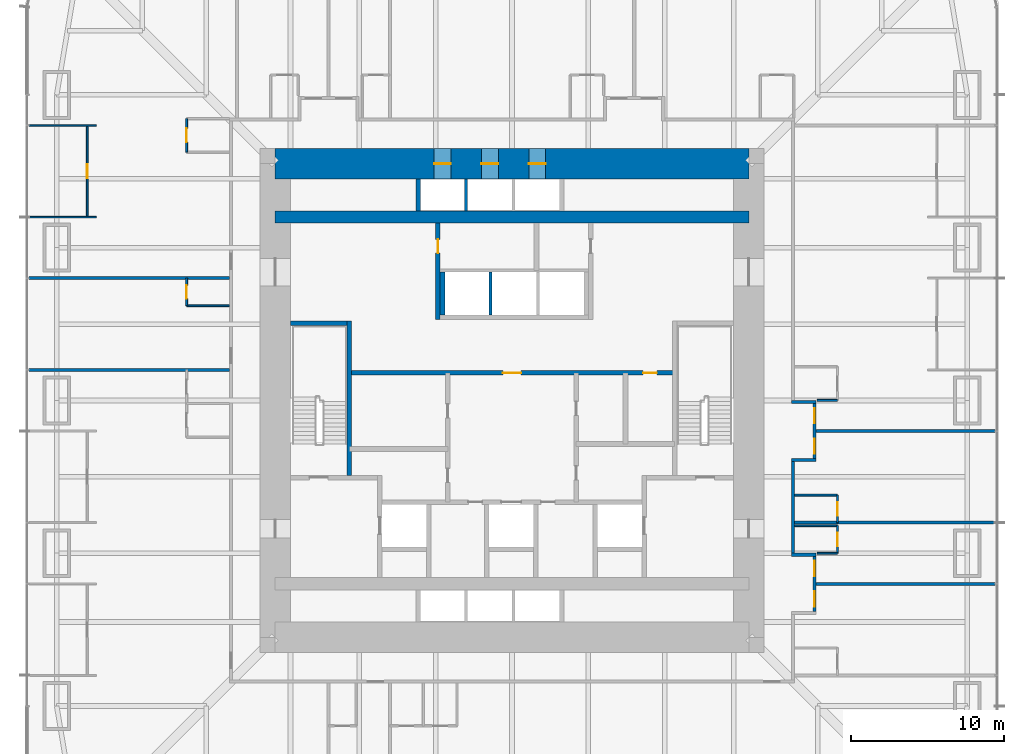
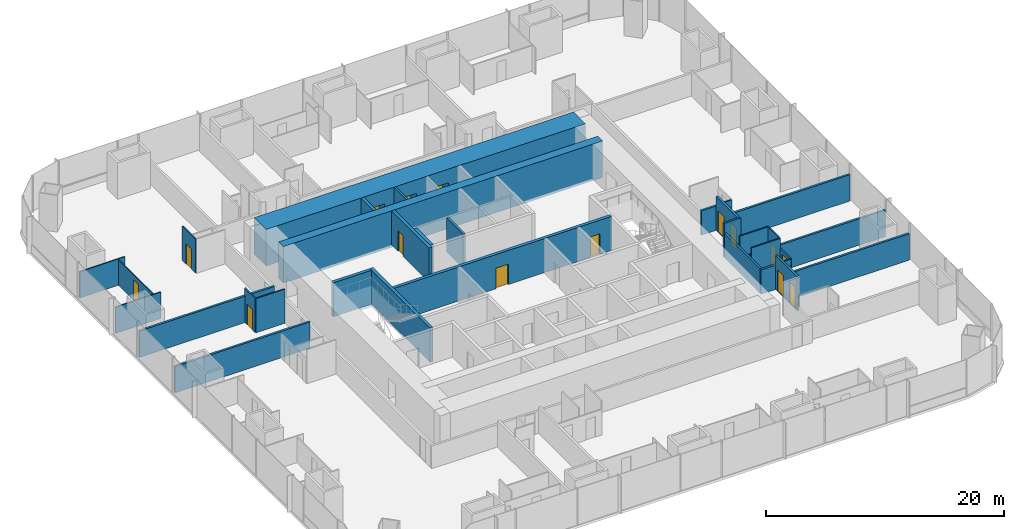
# One storey, part 14 of 17: 33 walls, 15 doors, 15 openings.
"""IFC4 building model written with IfcOpenShell, lengths in metres."""

from ifc_helpers import new_model, si_unit, direction, frame, frame_2d, origin, place, context, subcontext, project, spatial, rectangle, extrude, material, layer, layer_set, type_object, element, fill, save


model = new_model("IFC4")

# Units and contexts
model_context = context("Model", 3, precision=1e-05, world=origin(), true_north=direction((0.0, 1.0)))
body_context = subcontext(model_context, "Body", "Model", "MODEL_VIEW")
ifc_project = project(units=[si_unit("LENGTHUNIT", "METRE"), si_unit("AREAUNIT", "SQUARE_METRE"), si_unit("VOLUMEUNIT", "CUBIC_METRE"), si_unit("PLANEANGLEUNIT", "RADIAN"), si_unit("MASSUNIT", "GRAM", prefix="KILO")], contexts=[model_context])

# Site, building, storey
site_placement = place(None, origin())
site = spatial("IfcSite", under=ifc_project, at=site_placement, CompositionType="ELEMENT")
building_placement = place(site_placement, origin())
building = spatial("IfcBuilding", under=site, at=building_placement, Name="Khuree Lantern Residences", CompositionType="ELEMENT")
storey_placement = place(building_placement, frame((0.0, 0.0, 36.0)))
storey = spatial("IfcBuildingStorey", under=building, at=storey_placement, Name="L08", CompositionType="ELEMENT", Elevation=36.0)

# Wall, opening, door
ifc_material_1 = material(Name="Moisture-resistant gypsum board on steel studs", Category="steel")
ifc_layer_1 = layer(ifc_material_1, 0.125)
ifc_layer_set_1 = layer_set([ifc_layer_1], Name="BATHROOM WALL BTW125")
wall_type_1 = type_object("IfcWallType", Name="BATHROOM WALL BTW125", PredefinedType="PARTITIONING", material=ifc_layer_set_1)
wall_1_placement = place(storey_placement, frame((21.300048828125, -8.0, 0.0), z_axis=(0.0, 0.0, 1.0), x_axis=(0.0, 1.0, 0.0)))
wall_1 = element("IfcWall", 1, at=wall_1_placement, inside=storey, type_object=wall_type_1, Name="L08 BATHROOM WALL 01", PredefinedType="PARTITIONING", context=body_context, shape_type="SweptSolid", body=[
    extrude(rectangle(XDim=1.800048828125, YDim=0.125, at=frame_2d((0.89990234375, 0.0))), origin(), (0.0, 0.0, 1.0), 3.5),
])
opening_1_placement = place(wall_1_placement, frame((0.449951171875, 0.0, 0.0)))
opening_1 = element("IfcOpeningElement", 2, at=opening_1_placement, cuts=wall_1, Name="Opening 08-023", PredefinedType="OPENING", context=body_context, shape_type="SweptSolid", body=[
    extrude(rectangle(XDim=0.89990234375, YDim=2.10009765625, at=frame_2d((0.449951171875, 1.050048828125))), frame((0.0, 0.072509765625, 0.0), z_axis=(0.0, -1.0, 0.0), x_axis=(1.0, 0.0, 0.0)), (0.0, 0.0, 1.0), 0.14501953125),
])
ifc_material_2 = material(Name="Timber door leaf in hardwood frame", Category="wood")
door_type_1 = type_object("IfcDoorType", Name="BATHROOM DOOR 900X2100", OperationType="SINGLE_SWING_LEFT", PredefinedType="DOOR", material=ifc_material_2)
door_1_placement = place(opening_1_placement, origin())
door_1 = element("IfcDoor", 3, at=door_1_placement, inside=storey, type_object=door_type_1, Name="Bathroom door 08-023", OperationType="SINGLE_SWING_LEFT", OverallHeight=2.10009765625, OverallWidth=0.89990234375, PredefinedType="DOOR", context=body_context, shape_type="SweptSolid", body=[
    extrude(rectangle(XDim=0.89990234375, YDim=2.10009765625, at=frame_2d((0.449951171875, 1.050048828125))), frame((0.0, 0.02490234375, 0.0), z_axis=(0.0, -1.0, 0.0), x_axis=(1.0, 0.0, 0.0)), (0.0, 0.0, 1.0), 0.050048828125),
])
fill(opening_1, door_1)

# Walls
wall_2_placement = place(storey_placement, frame((18.5, -6.199951171875, 0.0), z_axis=(0.0, 0.0, 1.0), x_axis=(1.0, 0.0, 0.0)))
element("IfcWall", 4, at=wall_2_placement, inside=storey, type_object=wall_type_1, Name="L08 BATHROOM WALL 01", PredefinedType="PARTITIONING", context=body_context, shape_type="SweptSolid", body=[
    extrude(rectangle(XDim=2.800048828125, YDim=0.125, at=frame_2d((1.39990234375, 0.0))), origin(), (0.0, 0.0, 1.0), 3.5),
])
wall_3_placement = place(storey_placement, frame((19.969970703125, 0.0, 0.0), z_axis=(0.0, 0.0, 1.0), x_axis=(1.0, 0.0, 0.0)))
element("IfcWall", 5, at=wall_3_placement, inside=storey, type_object=wall_type_1, Name="L08 BATHROOM WALL 02", PredefinedType="PARTITIONING", context=body_context, shape_type="SweptSolid", body=[
    extrude(rectangle(XDim=1.330078125, YDim=0.125, at=frame_2d((0.6650390625, 0.0))), origin(), (0.0, 0.0, 1.0), 2.491943359375),
])

# Wall, opening, door
wall_4_placement = place(storey_placement, frame((-21.300048828125, 18.449951171875, 0.0), z_axis=(0.0, 0.0, 1.0), x_axis=(0.0, -1.0, 0.0)))
wall_4 = element("IfcWall", 6, at=wall_4_placement, inside=storey, type_object=wall_type_1, Name="L08 BATHROOM WALL 07", PredefinedType="PARTITIONING", context=body_context, shape_type="SweptSolid", body=[
    extrude(rectangle(XDim=2.199951171875, YDim=0.125, at=frame_2d((1.10009765625, 0.0))), origin(), (0.0, 0.0, 1.0), 3.5),
])
opening_2_placement = place(wall_4_placement, frame((0.64990234375, 0.0, 0.0)))
opening_2 = element("IfcOpeningElement", 7, at=opening_2_placement, cuts=wall_4, Name="Opening 08-042", PredefinedType="OPENING", context=body_context, shape_type="SweptSolid", body=[
    extrude(rectangle(XDim=0.89990234375, YDim=2.10009765625, at=frame_2d((0.449951171875, 1.050048828125))), frame((0.0, 0.072509765625, 0.0), z_axis=(0.0, -1.0, 0.0), x_axis=(1.0, 0.0, 0.0)), (0.0, 0.0, 1.0), 0.14501953125),
])
door_2_placement = place(opening_2_placement, origin())
door_2 = element("IfcDoor", 8, at=door_2_placement, inside=storey, type_object=door_type_1, Name="Bathroom door 08-042", OperationType="SINGLE_SWING_LEFT", OverallHeight=2.10009765625, OverallWidth=0.89990234375, PredefinedType="DOOR", context=body_context, shape_type="SweptSolid", body=[
    extrude(rectangle(XDim=0.89990234375, YDim=2.10009765625, at=frame_2d((0.449951171875, 1.050048828125))), frame((0.0, 0.02490234375, 0.0), z_axis=(0.0, -1.0, 0.0), x_axis=(1.0, 0.0, 0.0)), (0.0, 0.0, 1.0), 0.050048828125),
])
fill(opening_2, door_2)

wall_5_placement = place(storey_placement, frame((-21.300048828125, 8.0, 0.0), z_axis=(0.0, 0.0, 1.0), x_axis=(0.0, -1.0, 0.0)))
wall_5 = element("IfcWall", 9, at=wall_5_placement, inside=storey, type_object=wall_type_1, Name="L08 BATHROOM WALL 08", PredefinedType="PARTITIONING", context=body_context, shape_type="SweptSolid", body=[
    extrude(rectangle(XDim=1.800048828125, YDim=0.125, at=frame_2d((0.89990234375, 0.0))), origin(), (0.0, 0.0, 1.0), 3.5),
])
opening_3_placement = place(wall_5_placement, frame((0.449951171875, 0.0, 0.0)))
opening_3 = element("IfcOpeningElement", 10, at=opening_3_placement, cuts=wall_5, Name="Opening 08-044", PredefinedType="OPENING", context=body_context, shape_type="SweptSolid", body=[
    extrude(rectangle(XDim=0.89990234375, YDim=2.10009765625, at=frame_2d((0.449951171875, 1.050048828125))), frame((0.0, 0.072509765625, 0.0), z_axis=(0.0, -1.0, 0.0), x_axis=(1.0, 0.0, 0.0)), (0.0, 0.0, 1.0), 0.14501953125),
])
door_3_placement = place(opening_3_placement, origin())
door_3 = element("IfcDoor", 11, at=door_3_placement, inside=storey, type_object=door_type_1, Name="Bathroom door 08-044", OperationType="SINGLE_SWING_LEFT", OverallHeight=2.10009765625, OverallWidth=0.89990234375, PredefinedType="DOOR", context=body_context, shape_type="SweptSolid", body=[
    extrude(rectangle(XDim=0.89990234375, YDim=2.10009765625, at=frame_2d((0.449951171875, 1.050048828125))), frame((0.0, 0.02490234375, 0.0), z_axis=(0.0, -1.0, 0.0), x_axis=(1.0, 0.0, 0.0)), (0.0, 0.0, 1.0), 0.050048828125),
])
fill(opening_3, door_3)

# Wall
wall_6_placement = place(storey_placement, frame((-18.5, 6.199951171875, 0.0), z_axis=(0.0, 0.0, 1.0), x_axis=(-1.0, 0.0, 0.0)))
element("IfcWall", 12, at=wall_6_placement, inside=storey, type_object=wall_type_1, Name="L08 BATHROOM WALL 08", PredefinedType="PARTITIONING", context=body_context, shape_type="SweptSolid", body=[
    extrude(rectangle(XDim=2.800048828125, YDim=0.125, at=frame_2d((1.39990234375, 0.0))), origin(), (0.0, 0.0, 1.0), 3.5),
])

# Wall, opening, door
wall_7_placement = place(storey_placement, frame((21.300048828125, -10.0, 0.0), z_axis=(0.0, 0.0, 1.0), x_axis=(0.0, 1.0, 0.0)))
wall_7 = element("IfcWall", 13, at=wall_7_placement, inside=storey, type_object=wall_type_1, Name="L08 BATHROOM WALL 13", PredefinedType="PARTITIONING", context=body_context, shape_type="SweptSolid", body=[
    extrude(rectangle(XDim=1.800048828125, YDim=0.125, at=frame_2d((0.89990234375, 0.0))), origin(), (0.0, 0.0, 1.0), 2.491943359375),
])
opening_4_placement = place(wall_7_placement, frame((0.449951171875, 0.0, 0.0)))
opening_4 = element("IfcOpeningElement", 14, at=opening_4_placement, cuts=wall_7, Name="Opening 08-064", PredefinedType="OPENING", context=body_context, shape_type="SweptSolid", body=[
    extrude(rectangle(XDim=0.89990234375, YDim=2.10009765625, at=frame_2d((0.449951171875, 1.050048828125))), frame((0.0, 0.072509765625, 0.0), z_axis=(0.0, -1.0, 0.0), x_axis=(1.0, 0.0, 0.0)), (0.0, 0.0, 1.0), 0.14501953125),
])
door_4_placement = place(opening_4_placement, origin())
door_4 = element("IfcDoor", 15, at=door_4_placement, inside=storey, type_object=door_type_1, Name="Bathroom door 08-064", OperationType="SINGLE_SWING_LEFT", OverallHeight=2.10009765625, OverallWidth=0.89990234375, PredefinedType="DOOR", context=body_context, shape_type="SweptSolid", body=[
    extrude(rectangle(XDim=0.89990234375, YDim=2.10009765625, at=frame_2d((0.449951171875, 1.050048828125))), frame((0.0, 0.02490234375, 0.0), z_axis=(0.0, -1.0, 0.0), x_axis=(1.0, 0.0, 0.0)), (0.0, 0.0, 1.0), 0.050048828125),
])
fill(opening_4, door_4)

# Walls
wall_8_placement = place(storey_placement, frame((19.969970703125, -10.0, 0.0), z_axis=(0.0, 0.0, 1.0), x_axis=(1.0, 0.0, 0.0)))
element("IfcWall", 16, at=wall_8_placement, inside=storey, type_object=wall_type_1, Name="L08 BATHROOM WALL 13", PredefinedType="PARTITIONING", context=body_context, shape_type="SweptSolid", body=[
    extrude(rectangle(XDim=1.330078125, YDim=0.125, at=frame_2d((0.6650390625, 0.0))), origin(), (0.0, 0.0, 1.0), 2.491943359375),
])
wall_9_placement = place(storey_placement, frame((18.5, -8.199951171875, 0.0), z_axis=(0.0, 0.0, 1.0), x_axis=(1.0, 0.0, 0.0)))
element("IfcWall", 17, at=wall_9_placement, inside=storey, type_object=wall_type_1, Name="L08 BATHROOM WALL 13", PredefinedType="PARTITIONING", context=body_context, shape_type="SweptSolid", body=[
    extrude(rectangle(XDim=2.800048828125, YDim=0.125, at=frame_2d((1.39990234375, 0.0))), origin(), (0.0, 0.0, 1.0), 3.5),
])
ifc_material_3 = material(Name="Dense concrete blockwork", Category="masonry")
ifc_layer_2 = layer(ifc_material_3, 0.300048828125)
ifc_layer_set_2 = layer_set([ifc_layer_2], Name="CORE PARTITION WALL CPW300 EI 120")
wall_type_2 = type_object("IfcWallType", Name="CORE PARTITION WALL CPW300 EI 120", PredefinedType="PARTITIONING", material=ifc_layer_set_2)
wall_10_placement = place(storey_placement, frame((-4.550048828125, 5.60009765625, 0.0), z_axis=(0.0, 0.0, 1.0), x_axis=(0.0, 1.0, 0.0)))
element("IfcWall", 18, at=wall_10_placement, inside=storey, type_object=wall_type_2, Name="L08 CORE WALL PHW", PredefinedType="PARTITIONING", context=body_context, shape_type="SweptSolid", body=[
    extrude(rectangle(XDim=2.7998046875, YDim=0.300048828125, at=frame_2d((1.39990234375, 0.0))), origin(), (0.0, 0.0, 1.0), 3.5),
])
wall_11_placement = place(storey_placement, frame((-6.14990234375, 12.39990234375, 0.0), z_axis=(0.0, 0.0, 1.0), x_axis=(0.0, 1.0, 0.0)))
element("IfcWall", 19, at=wall_11_placement, inside=storey, type_object=wall_type_2, Name="L08 CORE WALL PLW", PredefinedType="PARTITIONING", context=body_context, shape_type="SweptSolid", body=[
    extrude(rectangle(XDim=2.10009765625, YDim=0.300048828125, at=frame_2d((1.050048828125, 0.0))), origin(), (0.0, 0.0, 1.0), 3.5),
])

# Wall, openings, doors
wall_12_placement = place(storey_placement, frame((-10.64990234375, 1.800048828125, 0.0), z_axis=(0.0, 0.0, 1.0), x_axis=(1.0, 0.0, 0.0)))
wall_12 = element("IfcWall", 20, at=wall_12_placement, inside=storey, type_object=wall_type_2, Name="L08 CORE WALL LLS", PredefinedType="PARTITIONING", context=body_context, shape_type="SweptSolid", body=[
    extrude(rectangle(XDim=21.2998046875, YDim=0.300048828125, at=frame_2d((10.64990234375, 0.0))), origin(), (0.0, 0.0, 1.0), 3.5),
])
opening_5_placement = place(wall_12_placement, frame((10.050048828125, 0.0, 0.0)))
opening_5 = element("IfcOpeningElement", 21, at=opening_5_placement, cuts=wall_12, Name="Opening 08-013", PredefinedType="OPENING", context=body_context, shape_type="SweptSolid", body=[
    extrude(rectangle(XDim=1.199951171875, YDim=2.10009765625, at=frame_2d((0.60009765625, 1.050048828125))), frame((0.0, 0.16015625, 0.0), z_axis=(0.0, -1.0, 0.0), x_axis=(1.0, 0.0, 0.0)), (0.0, 0.0, 1.0), 0.320068359375),
])
opening_6_placement = place(wall_12_placement, frame((19.238037109375, 0.0, 0.0)))
opening_6 = element("IfcOpeningElement", 22, at=opening_6_placement, cuts=wall_12, Name="Opening 08-020", PredefinedType="OPENING", context=body_context, shape_type="SweptSolid", body=[
    extrude(rectangle(XDim=0.89990234375, YDim=2.10009765625, at=frame_2d((0.449951171875, 1.050048828125))), frame((0.0, 0.16015625, 0.0), z_axis=(0.0, -1.0, 0.0), x_axis=(1.0, 0.0, 0.0)), (0.0, 0.0, 1.0), 0.320068359375),
])
ifc_material_4 = material(Name="Steel door leaf in steel frame", Category="steel")
door_type_2 = type_object("IfcDoorType", Name="DOOR 1200X2100 EI 60", OperationType="SINGLE_SWING_LEFT", PredefinedType="DOOR", material=ifc_material_4)
door_5_placement = place(opening_5_placement, origin())
door_5 = element("IfcDoor", 23, at=door_5_placement, inside=storey, type_object=door_type_2, Name="Service lift lobby door 08-013", OperationType="SINGLE_SWING_LEFT", OverallHeight=2.10009765625, OverallWidth=1.199951171875, PredefinedType="DOOR", context=body_context, shape_type="SweptSolid", body=[
    extrude(rectangle(XDim=1.199951171875, YDim=2.10009765625, at=frame_2d((0.60009765625, 1.050048828125))), frame((0.0, 0.02490234375, 0.0), z_axis=(0.0, -1.0, 0.0), x_axis=(1.0, 0.0, 0.0)), (0.0, 0.0, 1.0), 0.050048828125),
])
fill(opening_5, door_5)
door_type_3 = type_object("IfcDoorType", Name="DOOR 900X2100 RIGHT HAND", OperationType="SINGLE_SWING_RIGHT", PredefinedType="DOOR", material=ifc_material_2)
door_6_placement = place(opening_6_placement, origin())
door_6 = element("IfcDoor", 24, at=door_6_placement, inside=storey, type_object=door_type_3, Name="Housekeeping store door 08-020", OperationType="SINGLE_SWING_RIGHT", OverallHeight=2.10009765625, OverallWidth=0.89990234375, PredefinedType="DOOR", context=body_context, shape_type="SweptSolid", body=[
    extrude(rectangle(XDim=0.89990234375, YDim=2.10009765625, at=frame_2d((0.449951171875, 1.050048828125))), frame((0.0, 0.02490234375, 0.0), z_axis=(0.0, -1.0, 0.0), x_axis=(1.0, 0.0, 0.0)), (0.0, 0.0, 1.0), 0.050048828125),
])
fill(opening_6, door_6)

# Wall, opening, door
wall_13_placement = place(storey_placement, frame((-4.85009765625, 5.300048828125, 0.0), z_axis=(0.0, 0.0, 1.0), x_axis=(0.0, 1.0, 0.0)))
wall_13 = element("IfcWall", 25, at=wall_13_placement, inside=storey, type_object=wall_type_2, Name="L08 CORE WALL NW", PredefinedType="PARTITIONING", context=body_context, shape_type="SweptSolid", body=[
    extrude(rectangle(XDim=6.300048828125, YDim=0.300048828125, at=frame_2d((3.14990234375, 0.0))), origin(), (0.0, 0.0, 1.0), 3.5),
])
opening_7_placement = place(wall_13_placement, frame((4.35009765625, 0.0, 0.0)))
opening_7 = element("IfcOpeningElement", 26, at=opening_7_placement, cuts=wall_13, Name="Opening 08-021", PredefinedType="OPENING", context=body_context, shape_type="SweptSolid", body=[
    extrude(rectangle(XDim=0.89990234375, YDim=2.10009765625, at=frame_2d((0.449951171875, 1.050048828125))), frame((0.0, 0.16015625, 0.0), z_axis=(0.0, -1.0, 0.0), x_axis=(1.0, 0.0, 0.0)), (0.0, 0.0, 1.0), 0.320068359375),
])
door_7_placement = place(opening_7_placement, origin())
door_7 = element("IfcDoor", 27, at=door_7_placement, inside=storey, type_object=door_type_3, Name="Bulky waste store door 08-021", OperationType="SINGLE_SWING_RIGHT", OverallHeight=2.10009765625, OverallWidth=0.89990234375, PredefinedType="DOOR", context=body_context, shape_type="SweptSolid", body=[
    extrude(rectangle(XDim=0.89990234375, YDim=2.10009765625, at=frame_2d((0.449951171875, 1.050048828125))), frame((0.0, 0.02490234375, 0.0), z_axis=(0.0, -1.0, 0.0), x_axis=(1.0, 0.0, 0.0)), (0.0, 0.0, 1.0), 0.050048828125),
])
fill(opening_7, door_7)

# Wall
ifc_material_5 = material(Name="Gypsum board on steel studs", Category="steel")
ifc_layer_3 = layer(ifc_material_5, 0.199951171875)
ifc_layer_set_3 = layer_set([ifc_layer_3], Name="CORRIDOR WALL CRW200 EI 60")
wall_type_3 = type_object("IfcWallType", Name="CORRIDOR WALL CRW200 EI 60", PredefinedType="PARTITIONING", material=ifc_layer_set_3)
wall_14_placement = place(storey_placement, frame((18.300048828125, -10.10009765625, 0.0), z_axis=(0.0, 0.0, 1.0), x_axis=(1.0, 0.0, 0.0)))
element("IfcWall", 28, at=wall_14_placement, inside=storey, type_object=wall_type_3, Name="L08 CORRIDOR ALCOVE WALL EAST", PredefinedType="PARTITIONING", context=body_context, shape_type="SweptSolid", body=[
    extrude(rectangle(XDim=1.599853515625, YDim=0.199951171875, at=frame_2d((0.7998046875, 0.0))), origin(), (0.0, 0.0, 1.0), 2.491943359375),
])

# Wall, openings, doors
wall_15_placement = place(storey_placement, frame((19.800048828125, -13.800048828125, 0.0), z_axis=(0.0, 0.0, 1.0), x_axis=(0.0, 1.0, 0.0)))
wall_15 = element("IfcWall", 29, at=wall_15_placement, inside=storey, type_object=wall_type_3, Name="L08 CORRIDOR ALCOVE WALL EAST", PredefinedType="PARTITIONING", context=body_context, shape_type="SweptSolid", body=[
    extrude(rectangle(XDim=3.60009765625, YDim=0.199951171875, at=frame_2d((1.800048828125, 0.0))), origin(), (0.0, 0.0, 1.0), 3.5),
])
opening_8_placement = place(wall_15_placement, frame((0.300048828125, 0.0, 0.0)))
opening_8 = element("IfcOpeningElement", 30, at=opening_8_placement, cuts=wall_15, Name="Opening 08-063", PredefinedType="OPENING", context=body_context, shape_type="SweptSolid", body=[
    extrude(rectangle(XDim=1.0, YDim=2.199951171875, at=frame_2d((0.5, 1.10009765625))), frame((0.0, 0.10986328125, 0.0), z_axis=(0.0, -1.0, 0.0), x_axis=(1.0, 0.0, 0.0)), (0.0, 0.0, 1.0), 0.219970703125),
])
opening_9_placement = place(wall_15_placement, frame((2.300048828125, 0.0, 0.0)))
opening_9 = element("IfcOpeningElement", 31, at=opening_9_placement, cuts=wall_15, Name="Opening 08-065", PredefinedType="OPENING", context=body_context, shape_type="SweptSolid", body=[
    extrude(rectangle(XDim=1.0, YDim=2.199951171875, at=frame_2d((0.5, 1.10009765625))), frame((0.0, 0.10986328125, 0.0), z_axis=(0.0, -1.0, 0.0), x_axis=(1.0, 0.0, 0.0)), (0.0, 0.0, 1.0), 0.219970703125),
])
door_type_4 = type_object("IfcDoorType", Name="APARTMENT ENTRANCE DOOR 1000X2200 EI 30S", OperationType="SINGLE_SWING_LEFT", PredefinedType="DOOR", material=ifc_material_2)
door_8_placement = place(opening_8_placement, origin())
door_8 = element("IfcDoor", 32, at=door_8_placement, inside=storey, type_object=door_type_4, Name="Apartment 12 entrance door 08-063", OperationType="SINGLE_SWING_LEFT", OverallHeight=2.199951171875, OverallWidth=1.0, PredefinedType="DOOR", context=body_context, shape_type="SweptSolid", body=[
    extrude(rectangle(XDim=1.0, YDim=2.199951171875, at=frame_2d((0.5, 1.10009765625))), frame((0.0, 0.02490234375, 0.0), z_axis=(0.0, -1.0, 0.0), x_axis=(1.0, 0.0, 0.0)), (0.0, 0.0, 1.0), 0.050048828125),
])
fill(opening_8, door_8)
door_type_5 = type_object("IfcDoorType", Name="APARTMENT ENTRANCE DOOR 1000X2200 EI 30S RIGHT HAND", OperationType="SINGLE_SWING_RIGHT", PredefinedType="DOOR", material=ifc_material_2)
door_9_placement = place(opening_9_placement, origin())
door_9 = element("IfcDoor", 33, at=door_9_placement, inside=storey, type_object=door_type_5, Name="Apartment 13 entrance door 08-065", OperationType="SINGLE_SWING_RIGHT", OverallHeight=2.199951171875, OverallWidth=1.0, PredefinedType="DOOR", context=body_context, shape_type="SweptSolid", body=[
    extrude(rectangle(XDim=1.0, YDim=2.199951171875, at=frame_2d((0.5, 1.10009765625))), frame((0.0, 0.02490234375, 0.0), z_axis=(0.0, -1.0, 0.0), x_axis=(1.0, 0.0, 0.0)), (0.0, 0.0, 1.0), 0.050048828125),
])
fill(opening_9, door_9)

# Walls
wall_16_placement = place(storey_placement, frame((18.39990234375, -10.0, 0.0), z_axis=(0.0, 0.0, 1.0), x_axis=(0.0, 1.0, 0.0)))
element("IfcWall", 34, at=wall_16_placement, inside=storey, type_object=wall_type_3, Name="L08 CORRIDOR WALL EAST 2", PredefinedType="PARTITIONING", context=body_context, shape_type="SweptSolid", body=[
    extrude(rectangle(XDim=6.0, YDim=0.199951171875, at=frame_2d((3.0, 0.0))), origin(), (0.0, 0.0, 1.0), 2.491943359375),
])
wall_17_placement = place(storey_placement, frame((18.300048828125, -3.89990234375, 0.0), z_axis=(0.0, 0.0, 1.0), x_axis=(1.0, 0.0, 0.0)))
element("IfcWall", 35, at=wall_17_placement, inside=storey, type_object=wall_type_3, Name="L08 CORRIDOR ALCOVE WALL EAST", PredefinedType="PARTITIONING", context=body_context, shape_type="SweptSolid", body=[
    extrude(rectangle(XDim=1.599853515625, YDim=0.199951171875, at=frame_2d((0.7998046875, 0.0))), origin(), (0.0, 0.0, 1.0), 3.5),
])
wall_18_placement = place(storey_placement, frame((18.300048828125, -0.10009765625, 0.0), z_axis=(0.0, 0.0, 1.0), x_axis=(1.0, 0.0, 0.0)))
element("IfcWall", 36, at=wall_18_placement, inside=storey, type_object=wall_type_3, Name="L08 CORRIDOR ALCOVE WALL EAST", PredefinedType="PARTITIONING", context=body_context, shape_type="SweptSolid", body=[
    extrude(rectangle(XDim=1.599853515625, YDim=0.199951171875, at=frame_2d((0.7998046875, 0.0))), origin(), (0.0, 0.0, 1.0), 2.491943359375),
])

# Wall, openings, doors
wall_19_placement = place(storey_placement, frame((19.800048828125, -3.800048828125, 0.0), z_axis=(0.0, 0.0, 1.0), x_axis=(0.0, 1.0, 0.0)))
wall_19 = element("IfcWall", 37, at=wall_19_placement, inside=storey, type_object=wall_type_3, Name="L08 CORRIDOR ALCOVE WALL EAST", PredefinedType="PARTITIONING", context=body_context, shape_type="SweptSolid", body=[
    extrude(rectangle(XDim=3.60009765625, YDim=0.199951171875, at=frame_2d((1.800048828125, 0.0))), origin(), (0.0, 0.0, 1.0), 3.5),
])
opening_10_placement = place(wall_19_placement, frame((0.300048828125, 0.0, 0.0)))
opening_10 = element("IfcOpeningElement", 38, at=opening_10_placement, cuts=wall_19, Name="Opening 08-024", PredefinedType="OPENING", context=body_context, shape_type="SweptSolid", body=[
    extrude(rectangle(XDim=1.0, YDim=2.199951171875, at=frame_2d((0.5, 1.10009765625))), frame((0.0, 0.10986328125, 0.0), z_axis=(0.0, -1.0, 0.0), x_axis=(1.0, 0.0, 0.0)), (0.0, 0.0, 1.0), 0.219970703125),
])
opening_11_placement = place(wall_19_placement, frame((2.300048828125, 0.0, 0.0)))
opening_11 = element("IfcOpeningElement", 39, at=opening_11_placement, cuts=wall_19, Name="Opening 08-028", PredefinedType="OPENING", context=body_context, shape_type="SweptSolid", body=[
    extrude(rectangle(XDim=1.0, YDim=2.199951171875, at=frame_2d((0.5, 1.10009765625))), frame((0.0, 0.10986328125, 0.0), z_axis=(0.0, -1.0, 0.0), x_axis=(1.0, 0.0, 0.0)), (0.0, 0.0, 1.0), 0.219970703125),
])
door_10_placement = place(opening_10_placement, origin())
door_10 = element("IfcDoor", 40, at=door_10_placement, inside=storey, type_object=door_type_4, Name="Apartment 01 entrance door 08-024", OperationType="SINGLE_SWING_LEFT", OverallHeight=2.199951171875, OverallWidth=1.0, PredefinedType="DOOR", context=body_context, shape_type="SweptSolid", body=[
    extrude(rectangle(XDim=1.0, YDim=2.199951171875, at=frame_2d((0.5, 1.10009765625))), frame((0.0, 0.02490234375, 0.0), z_axis=(0.0, -1.0, 0.0), x_axis=(1.0, 0.0, 0.0)), (0.0, 0.0, 1.0), 0.050048828125),
])
fill(opening_10, door_10)
door_11_placement = place(opening_11_placement, origin())
door_11 = element("IfcDoor", 41, at=door_11_placement, inside=storey, type_object=door_type_5, Name="Apartment 02 entrance door 08-028", OperationType="SINGLE_SWING_RIGHT", OverallHeight=2.199951171875, OverallWidth=1.0, PredefinedType="DOOR", context=body_context, shape_type="SweptSolid", body=[
    extrude(rectangle(XDim=1.0, YDim=2.199951171875, at=frame_2d((0.5, 1.10009765625))), frame((0.0, 0.02490234375, 0.0), z_axis=(0.0, -1.0, 0.0), x_axis=(1.0, 0.0, 0.0)), (0.0, 0.0, 1.0), 0.050048828125),
])
fill(opening_11, door_11)

ifc_material_6 = material(Name="Concrete C70/85", Category="concrete")
ifc_layer_4 = layer(ifc_material_6, 2.0)
ifc_layer_set_4 = layer_set([ifc_layer_4], Name="CW2000-C70 CORE WALL C70 2000")
wall_type_4 = type_object("IfcWallType", Name="CW2000-C70 CORE WALL C70 2000", PredefinedType="SHEAR", material=ifc_layer_set_4)
wall_20_placement = place(storey_placement, frame((-15.5, 15.5, -0.25), z_axis=(0.0, 0.0, 1.0), x_axis=(1.0, 0.0, 0.0)))
wall_20 = element("IfcWall", 42, at=wall_20_placement, inside=storey, type_object=wall_type_4, Name="Core wall N", PredefinedType="SHEAR", context=body_context, shape_type="SweptSolid", body=[
    extrude(rectangle(XDim=31.0, YDim=2.0, at=frame_2d((15.5, 0.0))), origin(), (0.0, 0.0, 1.0), 3.75),
])
opening_12_placement = place(wall_20_placement, frame((10.39990234375, 0.0, 0.25)))
opening_12 = element("IfcOpeningElement", 43, at=opening_12_placement, cuts=wall_20, Name="Opening 08-009", PredefinedType="OPENING", context=body_context, shape_type="SweptSolid", body=[
    extrude(rectangle(XDim=1.10009765625, YDim=2.10009765625, at=frame_2d((0.550048828125, 1.050048828125))), frame((0.0, 1.010009765625, 0.0), z_axis=(0.0, -1.0, 0.0), x_axis=(1.0, 0.0, 0.0)), (0.0, 0.0, 1.0), 2.02001953125),
])
opening_13_placement = place(wall_20_placement, frame((13.5, 0.0, 0.25)))
opening_13 = element("IfcOpeningElement", 44, at=opening_13_placement, cuts=wall_20, Name="Opening 08-010", PredefinedType="OPENING", context=body_context, shape_type="SweptSolid", body=[
    extrude(rectangle(XDim=1.10009765625, YDim=2.10009765625, at=frame_2d((0.550048828125, 1.050048828125))), frame((0.0, 1.010009765625, 0.0), z_axis=(0.0, -1.0, 0.0), x_axis=(1.0, 0.0, 0.0)), (0.0, 0.0, 1.0), 2.02001953125),
])
opening_14_placement = place(wall_20_placement, frame((16.60009765625, 0.0, 0.25)))
opening_14 = element("IfcOpeningElement", 45, at=opening_14_placement, cuts=wall_20, Name="Opening 08-011", PredefinedType="OPENING", context=body_context, shape_type="SweptSolid", body=[
    extrude(rectangle(XDim=1.10009765625, YDim=2.10009765625, at=frame_2d((0.550048828125, 1.050048828125))), frame((0.0, 1.010009765625, 0.0), z_axis=(0.0, -1.0, 0.0), x_axis=(1.0, 0.0, 0.0)), (0.0, 0.0, 1.0), 2.02001953125),
])
ifc_material_7 = material(Name="Stainless steel lift landing door", Category="steel")
door_type_6 = type_object("IfcDoorType", Name="LIFT LANDING DOOR 1100X2100 E 60", OperationType="DOUBLE_DOOR_SLIDING", PredefinedType="DOOR", material=ifc_material_7)
door_12_placement = place(opening_12_placement, origin())
door_12 = element("IfcDoor", 46, at=door_12_placement, inside=storey, type_object=door_type_6, Name="Landing door PL1 08-009", OperationType="DOUBLE_DOOR_SLIDING", OverallHeight=2.10009765625, OverallWidth=1.10009765625, PredefinedType="DOOR", context=body_context, shape_type="SweptSolid", body=[
    extrude(rectangle(XDim=1.10009765625, YDim=2.10009765625, at=frame_2d((0.550048828125, 1.050048828125))), frame((0.0, 0.02490234375, 0.0), z_axis=(0.0, -1.0, 0.0), x_axis=(1.0, 0.0, 0.0)), (0.0, 0.0, 1.0), 0.050048828125),
])
fill(opening_12, door_12)
door_13_placement = place(opening_13_placement, origin())
door_13 = element("IfcDoor", 47, at=door_13_placement, inside=storey, type_object=door_type_6, Name="Landing door PL2 08-010", OperationType="DOUBLE_DOOR_SLIDING", OverallHeight=2.10009765625, OverallWidth=1.10009765625, PredefinedType="DOOR", context=body_context, shape_type="SweptSolid", body=[
    extrude(rectangle(XDim=1.10009765625, YDim=2.10009765625, at=frame_2d((0.550048828125, 1.050048828125))), frame((0.0, 0.02490234375, 0.0), z_axis=(0.0, -1.0, 0.0), x_axis=(1.0, 0.0, 0.0)), (0.0, 0.0, 1.0), 0.050048828125),
])
fill(opening_13, door_13)
door_14_placement = place(opening_14_placement, origin())
door_14 = element("IfcDoor", 48, at=door_14_placement, inside=storey, type_object=door_type_6, Name="Landing door PL3 08-011", OperationType="DOUBLE_DOOR_SLIDING", OverallHeight=2.10009765625, OverallWidth=1.10009765625, PredefinedType="DOOR", context=body_context, shape_type="SweptSolid", body=[
    extrude(rectangle(XDim=1.10009765625, YDim=2.10009765625, at=frame_2d((0.550048828125, 1.050048828125))), frame((0.0, 0.02490234375, 0.0), z_axis=(0.0, -1.0, 0.0), x_axis=(1.0, 0.0, 0.0)), (0.0, 0.0, 1.0), 0.050048828125),
])
fill(opening_14, door_14)

# Walls
ifc_layer_5 = layer(ifc_material_5, 0.199951171875)
ifc_layer_set_5 = layer_set([ifc_layer_5], Name="DEMISING WALL DMW200 EI 90")
wall_type_5 = type_object("IfcWallType", Name="DEMISING WALL DMW200 EI 90", PredefinedType="PARTITIONING", material=ifc_layer_set_5)
wall_21_placement = place(storey_placement, frame((18.5, -8.0, 0.0), z_axis=(0.0, 0.0, 1.0), x_axis=(1.0, 0.0, 0.0)))
element("IfcWall", 49, at=wall_21_placement, inside=storey, type_object=wall_type_5, Name="L08 DEMISING WALL 01", PredefinedType="PARTITIONING", context=body_context, shape_type="SweptSolid", body=[
    extrude(rectangle(XDim=13.10009765625, YDim=0.199951171875, at=frame_2d((6.550048828125, 0.0))), origin(), (0.0, 0.0, 1.0), 2.7099609375),
])
wall_22_placement = place(storey_placement, frame((19.89990234375, -2.0, 0.0), z_axis=(0.0, 0.0, 1.0), x_axis=(1.0, 0.0, 0.0)))
element("IfcWall", 50, at=wall_22_placement, inside=storey, type_object=wall_type_5, Name="L08 DEMISING WALL 02", PredefinedType="PARTITIONING", context=body_context, shape_type="SweptSolid", body=[
    extrude(rectangle(XDim=11.7001953125, YDim=0.199951171875, at=frame_2d((5.85009765625, 0.0))), origin(), (0.0, 0.0, 1.0), 2.7099609375),
])
for number, where, z_axis, x_axis, name in (
    (51, (-18.5, 8.0, 0.0), (0.0, 0.0, 1.0), (-1.0, 0.0, 0.0), "L08 DEMISING WALL 08"),
    (52, (-18.5, 2.0, 0.0), (0.0, 0.0, 1.0), (-1.0, 0.0, 0.0), "L08 DEMISING WALL 09"),
):
    element("IfcWall", number, at=place(storey_placement, frame(where, z_axis=z_axis, x_axis=x_axis)), inside=storey, type_object=wall_type_5, Name=name, PredefinedType="PARTITIONING", context=body_context, shape_type="SweptSolid", body=[
        extrude(rectangle(XDim=13.10009765625, YDim=0.199951171875, at=frame_2d((6.550048828125, 0.0))), origin(), (0.0, 0.0, 1.0), 2.7099609375),
    ])
wall_23_placement = place(storey_placement, frame((19.89990234375, -12.0, 0.0), z_axis=(0.0, 0.0, 1.0), x_axis=(1.0, 0.0, 0.0)))
element("IfcWall", 53, at=wall_23_placement, inside=storey, type_object=wall_type_5, Name="L08 DEMISING WALL 13", PredefinedType="PARTITIONING", context=body_context, shape_type="SweptSolid", body=[
    extrude(rectangle(XDim=11.7001953125, YDim=0.199951171875, at=frame_2d((5.85009765625, 0.0))), origin(), (0.0, 0.0, 1.0), 2.7099609375),
])
ifc_layer_6 = layer(ifc_material_5, 0.10009765625)
ifc_layer_set_6 = layer_set([ifc_layer_6], Name="PARTITION PT100")
wall_type_6 = type_object("IfcWallType", Name="PARTITION PT100", PredefinedType="PARTITIONING", material=ifc_layer_set_6)
for number, where, z_axis, x_axis, name in (
    (54, (-27.199951171875, 18.0, 0.0), (0.0, 0.0, 1.0), (-1.0, 0.0, 0.0), "L08 PARTITION 07"),
    (55, (-27.199951171875, 12.0, 0.0), (0.0, 0.0, 1.0), (-1.0, 0.0, 0.0), "L08 PARTITION 07"),
):
    element("IfcWall", number, at=place(storey_placement, frame(where, z_axis=z_axis, x_axis=x_axis)), inside=storey, type_object=wall_type_6, Name=name, PredefinedType="PARTITIONING", context=body_context, shape_type="SweptSolid", body=[
        extrude(rectangle(XDim=4.400146484375, YDim=0.10009765625, at=frame_2d((2.2001953125, 0.0))), origin(), (0.0, 0.0, 1.0), 2.7099609375),
    ])

# Wall, opening, door
wall_24_placement = place(storey_placement, frame((-27.800048828125, 18.0, 0.0), z_axis=(0.0, 0.0, 1.0), x_axis=(0.0, -1.0, 0.0)))
wall_24 = element("IfcWall", 56, at=wall_24_placement, inside=storey, type_object=wall_type_6, Name="L08 PARTITION 07", PredefinedType="PARTITIONING", context=body_context, shape_type="SweptSolid", body=[
    extrude(rectangle(XDim=6.0, YDim=0.10009765625, at=frame_2d((3.0, 0.0))), origin(), (0.0, 0.0, 1.0), 2.610107421875),
])
opening_15_placement = place(wall_24_placement, frame((2.550048828125, 0.0, 0.0)))
opening_15 = element("IfcOpeningElement", 57, at=opening_15_placement, cuts=wall_24, Name="Opening 08-041", PredefinedType="OPENING", context=body_context, shape_type="SweptSolid", body=[
    extrude(rectangle(XDim=0.89990234375, YDim=2.10009765625, at=frame_2d((0.449951171875, 1.050048828125))), frame((0.0, 0.06005859375, 0.0), z_axis=(0.0, -1.0, 0.0), x_axis=(1.0, 0.0, 0.0)), (0.0, 0.0, 1.0), 0.1201171875),
])
door_type_7 = type_object("IfcDoorType", Name="BEDROOM DOOR 900X2100", OperationType="SINGLE_SWING_LEFT", PredefinedType="DOOR", material=ifc_material_2)
door_15_placement = place(opening_15_placement, origin())
door_15 = element("IfcDoor", 58, at=door_15_placement, inside=storey, type_object=door_type_7, Name="Bedroom door 08-041", OperationType="SINGLE_SWING_LEFT", OverallHeight=2.10009765625, OverallWidth=0.89990234375, PredefinedType="DOOR", context=body_context, shape_type="SweptSolid", body=[
    extrude(rectangle(XDim=0.89990234375, YDim=2.10009765625, at=frame_2d((0.449951171875, 1.050048828125))), frame((0.0, 0.02490234375, 0.0), z_axis=(0.0, -1.0, 0.0), x_axis=(1.0, 0.0, 0.0)), (0.0, 0.0, 1.0), 0.050048828125),
])
fill(opening_15, door_15)

# Walls
ifc_layer_7 = layer(ifc_material_3, 0.199951171875)
ifc_layer_set_7 = layer_set([ifc_layer_7], Name="SHAFT WALL SHW200 EI 120")
wall_type_7 = type_object("IfcWallType", Name="SHAFT WALL SHW200 EI 120", PredefinedType="PARTITIONING", material=ifc_layer_set_7)
wall_25_placement = place(storey_placement, frame((-1.39990234375, 5.60009765625, 0.0), z_axis=(0.0, 0.0, 1.0), x_axis=(0.0, 1.0, 0.0)))
element("IfcWall", 59, at=wall_25_placement, inside=storey, type_object=wall_type_7, Name="L08 CORE WALL PHD1", PredefinedType="PARTITIONING", context=body_context, shape_type="SweptSolid", body=[
    extrude(rectangle(XDim=2.7998046875, YDim=0.199951171875, at=frame_2d((1.39990234375, 0.0))), origin(), (0.0, 0.0, 1.0), 3.5),
])
wall_26_placement = place(storey_placement, frame((-3.0, 12.39990234375, 0.0), z_axis=(0.0, 0.0, 1.0), x_axis=(0.0, 1.0, 0.0)))
element("IfcWall", 60, at=wall_26_placement, inside=storey, type_object=wall_type_7, Name="L08 CORE WALL PLD1", PredefinedType="PARTITIONING", context=body_context, shape_type="SweptSolid", body=[
    extrude(rectangle(XDim=2.10009765625, YDim=0.199951171875, at=frame_2d((1.050048828125, 0.0))), origin(), (0.0, 0.0, 1.0), 3.5),
])
ifc_layer_8 = layer(ifc_material_6, 0.800048828125)
ifc_layer_set_8 = layer_set([ifc_layer_8], Name="SP800-C70 CORE SPINE WALL C70 800")
wall_type_8 = type_object("IfcWallType", Name="SP800-C70 CORE SPINE WALL C70 800", PredefinedType="SHEAR", material=ifc_layer_set_8)
wall_27_placement = place(storey_placement, frame((-15.5, 12.0, -0.25), z_axis=(0.0, 0.0, 1.0), x_axis=(1.0, 0.0, 0.0)))
element("IfcWall", 61, at=wall_27_placement, inside=storey, type_object=wall_type_8, Name="Core wall SPN", PredefinedType="SHEAR", context=body_context, shape_type="SweptSolid", body=[
    extrude(rectangle(XDim=31.0, YDim=0.800048828125, at=frame_2d((15.5, 0.0))), origin(), (0.0, 0.0, 1.0), 3.75),
])
ifc_material_8 = material(Name="Concrete C50/60", Category="concrete")
ifc_layer_9 = layer(ifc_material_8, 0.300048828125)
ifc_layer_set_9 = layer_set([ifc_layer_9], Name="STAIR WALL SRW300 C50/60 REI 240")
wall_type_9 = type_object("IfcWallType", Name="STAIR WALL SRW300 C50/60 REI 240", PredefinedType="SOLIDWALL", material=ifc_layer_set_9)
wall_28_placement = place(storey_placement, frame((-10.64990234375, -4.89990234375, 0.0), z_axis=(0.0, 0.0, 1.0), x_axis=(0.0, 1.0, 0.0)))
element("IfcWall", 62, at=wall_28_placement, inside=storey, type_object=wall_type_9, Name="L08 STAIR WALL ST1E", PredefinedType="SOLIDWALL", context=body_context, shape_type="SweptSolid", body=[
    extrude(rectangle(XDim=10.099853515625, YDim=0.300048828125, at=frame_2d((5.0498046875, 0.0))), origin(), (0.0, 0.0, 1.0), 3.5),
])
wall_29_placement = place(storey_placement, frame((-14.5, 5.050048828125, 0.0), z_axis=(0.0, 0.0, 1.0), x_axis=(1.0, 0.0, 0.0)))
element("IfcWall", 63, at=wall_29_placement, inside=storey, type_object=wall_type_9, Name="L08 STAIR WALL ST1N", PredefinedType="SOLIDWALL", context=body_context, shape_type="SweptSolid", body=[
    extrude(rectangle(XDim=3.699951171875, YDim=0.300048828125, at=frame_2d((1.85009765625, 0.0))), origin(), (0.0, 0.0, 1.0), 3.5),
])

save(model, "model.ifc")
